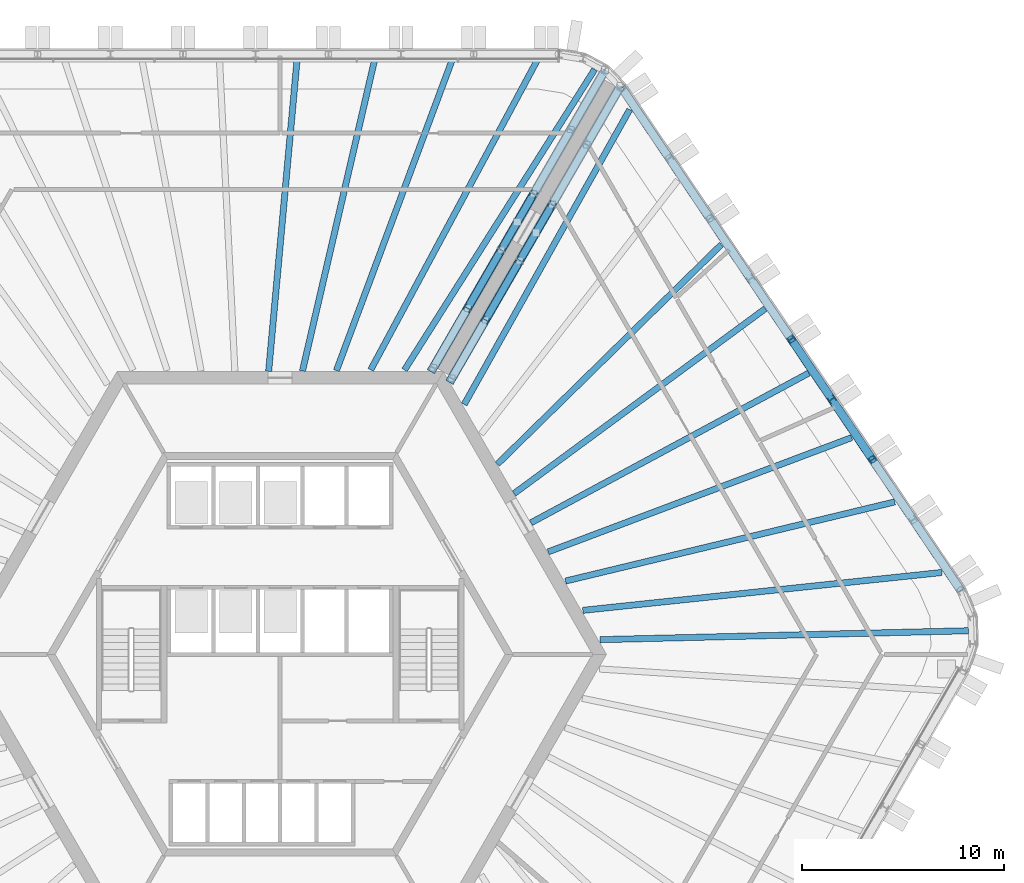
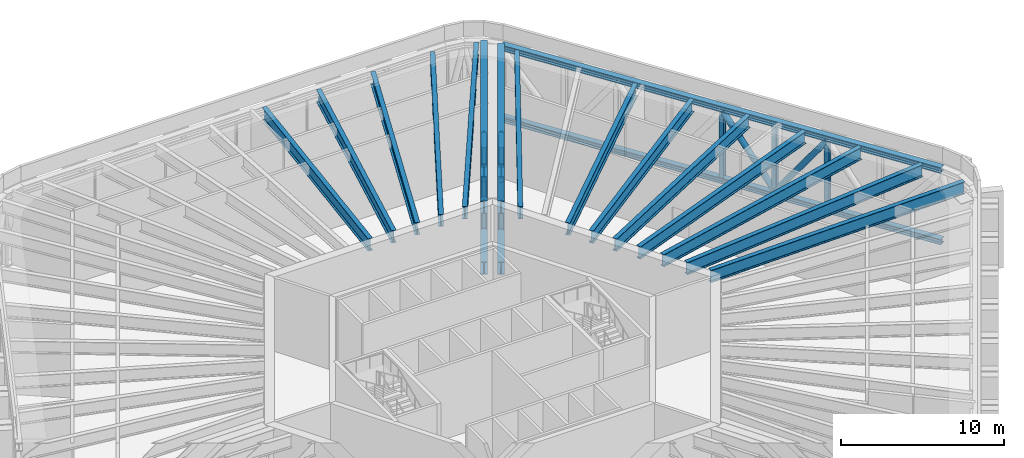
# One storey, part 8 of 27: 25 members, 13 beams.
"""IFC4 building model written with IfcOpenShell, lengths in metres."""

from ifc_helpers import new_model, si_unit, direction, frame, origin, origin_2d, place, context, subcontext, project, spatial, hollow_circle, i_section, extrude, material, material_profile, profile_set, type_object, element, save


model = new_model("IFC4")

# Units and contexts
model_context = context("Model", 3, precision=1e-05, world=origin(), true_north=direction((0.0, 1.0)))
body_context = subcontext(model_context, "Body", "Model", "MODEL_VIEW")
ifc_project = project(units=[si_unit("LENGTHUNIT", "METRE"), si_unit("AREAUNIT", "SQUARE_METRE"), si_unit("VOLUMEUNIT", "CUBIC_METRE"), si_unit("PLANEANGLEUNIT", "RADIAN"), si_unit("MASSUNIT", "GRAM", prefix="KILO")], contexts=[model_context])

# Site, building, storey
site_placement = place(None, origin())
site = spatial("IfcSite", under=ifc_project, at=site_placement, CompositionType="ELEMENT")
building_placement = place(site_placement, origin())
building = spatial("IfcBuilding", under=site, at=building_placement, Name="Tarnside Tower", CompositionType="ELEMENT")
storey_placement = place(building_placement, frame((0.0, 0.0, 146.699951171875)))
storey = spatial("IfcBuildingStorey", under=building, at=storey_placement, Name="L34", CompositionType="ELEMENT", Elevation=146.699951171875)

# Beams
ifc_material_1 = material(Name="Steel S355", Category="steel")
ifc_material_profile_1 = material_profile(ifc_material_1, i_section(OverallWidth=0.3076171875, OverallDepth=0.926513671875, WebThickness=0.01953125, FlangeThickness=0.031982421875, FilletRadius=0.01904296875, at=origin_2d()), Name="UB 914x305x289")
ifc_profile_set_1 = profile_set([ifc_material_profile_1], Name="Steel S355")
beam_type = type_object("IfcBeamType", Name="Floor beam UB 914x305x289", PredefinedType="BEAM", material=ifc_profile_set_1)
beam_1_placement = place(storey_placement, frame((12.7392578125, 29.430908203125, 5.036865234375), z_axis=(-0.47375131485, -0.880658669223, 0.0), x_axis=(0.880658669223, -0.47375131485, 0.0)))
element("IfcBeam", 1, at=beam_1_placement, inside=storey, type_object=beam_type, Name="Floor beam F1.01", PredefinedType="BEAM", context=body_context, shape_type="SweptSolid", body=[
    extrude(i_section(OverallWidth=0.3076171875, OverallDepth=0.926513671875, WebThickness=0.01953125, FlangeThickness=0.031982421875, FilletRadius=0.01904296875, at=origin_2d()), origin(), (0.0, 0.0, 1.0), 17.421875),
])
beam_2_placement = place(storey_placement, frame((8.529541015625, 29.462646484375, 5.036865234375), z_axis=(-0.349112858384, -0.93708068602, 0.0), x_axis=(0.93708068602, -0.349112858384, 0.0)))
element("IfcBeam", 2, at=beam_2_placement, inside=storey, type_object=beam_type, Name="Floor beam F1.02", PredefinedType="BEAM", context=body_context, shape_type="SweptSolid", body=[
    extrude(i_section(OverallWidth=0.3076171875, OverallDepth=0.926513671875, WebThickness=0.01953125, FlangeThickness=0.031982421875, FilletRadius=0.01904296875, at=origin_2d()), origin(), (0.0, 0.0, 1.0), 16.44091796875),
])
beam_3_placement = place(storey_placement, frame((4.689208984375, 29.47998046875, 5.036865234375), z_axis=(-0.225908911595, -0.974148429995, 0.0), x_axis=(0.974148429995, -0.225908911595, 0.0)))
element("IfcBeam", 3, at=beam_3_placement, inside=storey, type_object=beam_type, Name="Floor beam F1.03", PredefinedType="BEAM", context=body_context, shape_type="SweptSolid", body=[
    extrude(i_section(OverallWidth=0.3076171875, OverallDepth=0.926513671875, WebThickness=0.01953125, FlangeThickness=0.031982421875, FilletRadius=0.01904296875, at=origin_2d()), origin(), (0.0, 0.0, 1.0), 15.8505859375),
])
beam_4_placement = place(storey_placement, frame((0.843994140625, 29.4990234375, 5.036865234375), z_axis=(-0.090865719449, -0.995863153766, 0.0), x_axis=(0.995863153766, -0.090865719449, 0.0)))
element("IfcBeam", 4, at=beam_4_placement, inside=storey, type_object=beam_type, Name="Floor beam F1.04", PredefinedType="BEAM", context=body_context, shape_type="SweptSolid", body=[
    extrude(i_section(OverallWidth=0.3076171875, OverallDepth=0.926513671875, WebThickness=0.01953125, FlangeThickness=0.031982421875, FilletRadius=0.01904296875, at=origin_2d()), origin(), (0.0, 0.0, 1.0), 15.543212890625),
])
beam_5_placement = place(storey_placement, frame((34.09326171875, 1.16748046875, 5.036865234375), z_axis=(-0.99970649596, -0.024226471801, 0.0), x_axis=(0.024226471801, -0.99970649596, 0.0)))
element("IfcBeam", 5, at=beam_5_placement, inside=storey, type_object=beam_type, Name="Floor beam C5", PredefinedType="BEAM", context=body_context, shape_type="SweptSolid", body=[
    extrude(i_section(OverallWidth=0.3076171875, OverallDepth=0.926513671875, WebThickness=0.01953125, FlangeThickness=0.031982421875, FilletRadius=0.01904296875, at=origin_2d()), origin(), (0.0, 0.0, 1.0), 18.250244140625),
])
beam_6_placement = place(storey_placement, frame((32.786376953125, 4.05419921875, 5.036865234375), z_axis=(-0.994480676389, -0.104919894632, 0.0), x_axis=(0.104919894632, -0.994480676389, 0.0)))
element("IfcBeam", 6, at=beam_6_placement, inside=storey, type_object=beam_type, Name="Floor beam F6.01", PredefinedType="BEAM", context=body_context, shape_type="SweptSolid", body=[
    extrude(i_section(OverallWidth=0.3076171875, OverallDepth=0.926513671875, WebThickness=0.01953125, FlangeThickness=0.031982421875, FilletRadius=0.01904296875, at=origin_2d()), origin(), (0.0, 0.0, 1.0), 17.8916015625),
])
beam_7_placement = place(storey_placement, frame((30.446533203125, 7.549072265625, 5.036865234375), z_axis=(-0.97230374236, -0.233720843298, 0.0), x_axis=(0.233720843298, -0.97230374236, 0.0)))
element("IfcBeam", 7, at=beam_7_placement, inside=storey, type_object=beam_type, Name="Floor beam F6.02", PredefinedType="BEAM", context=body_context, shape_type="SweptSolid", body=[
    extrude(i_section(OverallWidth=0.3076171875, OverallDepth=0.926513671875, WebThickness=0.01953125, FlangeThickness=0.031982421875, FilletRadius=0.01904296875, at=origin_2d()), origin(), (0.0, 0.0, 1.0), 16.77392578125),
])
beam_8_placement = place(storey_placement, frame((28.318115234375, 10.735595703125, 5.036865234375), z_axis=(-0.935868140624, -0.35235042694, 0.0), x_axis=(0.35235042694, -0.935868140624, 0.0)))
element("IfcBeam", 8, at=beam_8_placement, inside=storey, type_object=beam_type, Name="Floor beam F6.03", PredefinedType="BEAM", context=body_context, shape_type="SweptSolid", body=[
    extrude(i_section(OverallWidth=0.3076171875, OverallDepth=0.926513671875, WebThickness=0.01953125, FlangeThickness=0.031982421875, FilletRadius=0.01904296875, at=origin_2d()), origin(), (0.0, 0.0, 1.0), 16.066650390625),
])
beam_9_placement = place(storey_placement, frame((26.186279296875, 13.93017578125, 5.036865234375), z_axis=(-0.880318579112, -0.474382966884, 0.0), x_axis=(0.474382966884, -0.880318579112, 0.0)))
element("IfcBeam", 9, at=beam_9_placement, inside=storey, type_object=beam_type, Name="Floor beam F6.04", PredefinedType="BEAM", context=body_context, shape_type="SweptSolid", body=[
    extrude(i_section(OverallWidth=0.3076171875, OverallDepth=0.926513671875, WebThickness=0.01953125, FlangeThickness=0.031982421875, FilletRadius=0.01904296875, at=origin_2d()), origin(), (0.0, 0.0, 1.0), 15.6298828125),
])
beam_10_placement = place(storey_placement, frame((24.03369140625, 17.121337890625, 5.036865234375), z_axis=(-0.805394511182, -0.592739134323, 0.0), x_axis=(0.592739134323, -0.805394511182, 0.0)))
element("IfcBeam", 10, at=beam_10_placement, inside=storey, type_object=beam_type, Name="Floor beam F6.05", PredefinedType="BEAM", context=body_context, shape_type="SweptSolid", body=[
    extrude(i_section(OverallWidth=0.3076171875, OverallDepth=0.926513671875, WebThickness=0.01953125, FlangeThickness=0.031982421875, FilletRadius=0.01904296875, at=origin_2d()), origin(), (0.0, 0.0, 1.0), 15.449462890625),
])
beam_11_placement = place(storey_placement, frame((21.864501953125, 20.302490234375, 5.036865234375), z_axis=(-0.714126588588, -0.700016582283, 0.0), x_axis=(0.700016582283, -0.714126588588, 0.0)))
element("IfcBeam", 11, at=beam_11_placement, inside=storey, type_object=beam_type, Name="Floor beam F6.06", PredefinedType="BEAM", context=body_context, shape_type="SweptSolid", body=[
    extrude(i_section(OverallWidth=0.3076171875, OverallDepth=0.926513671875, WebThickness=0.01953125, FlangeThickness=0.031982421875, FilletRadius=0.01904296875, at=origin_2d()), origin(), (0.0, 0.0, 1.0), 15.537841796875),
])
beam_12_placement = place(storey_placement, frame((17.318115234375, 26.985595703125, 5.036865234375), z_axis=(-0.489409943464, -0.872053844231, 0.0), x_axis=(0.872053844231, -0.489409943464, 0.0)))
element("IfcBeam", 12, at=beam_12_placement, inside=storey, type_object=beam_type, Name="Floor beam F6.08", PredefinedType="BEAM", context=body_context, shape_type="SweptSolid", body=[
    extrude(i_section(OverallWidth=0.3076171875, OverallDepth=0.926513671875, WebThickness=0.01953125, FlangeThickness=0.031982421875, FilletRadius=0.01904296875, at=origin_2d()), origin(), (0.0, 0.0, 1.0), 16.752197265625),
])
beam_13_placement = place(storey_placement, frame((15.579833984375, 28.9736328125, 5.036865234375), z_axis=(-0.534602328655, -0.845103751143, 0.0), x_axis=(0.845103751143, -0.534602328655, 0.0)))
element("IfcBeam", 13, at=beam_13_placement, inside=storey, type_object=beam_type, Name="Floor beam C6", PredefinedType="BEAM", context=body_context, shape_type="SweptSolid", body=[
    extrude(i_section(OverallWidth=0.3076171875, OverallDepth=0.926513671875, WebThickness=0.01953125, FlangeThickness=0.031982421875, FilletRadius=0.01904296875, at=origin_2d()), origin(), (0.0, 0.0, 1.0), 17.6181640625),
])

# Members
ifc_material_2 = material(Name="Steel S460", Category="steel")
ifc_material_profile_2 = material_profile(ifc_material_2, i_section(OverallWidth=0.42041015625, OverallDepth=0.9208984375, WebThickness=0.021484375, FlangeThickness=0.03662109375, FilletRadius=0.024169921875, at=origin_2d()), Name="UB 914x419x388")
ifc_profile_set_2 = profile_set([ifc_material_profile_2], Name="Steel S460")
member_type_1 = type_object("IfcMemberType", Name="Outrigger chord UB 914x419x388", PredefinedType="CHORD", material=ifc_profile_set_2)
member_1_placement = place(storey_placement, frame((7.470703125, 14.0, 5.03955078125), z_axis=(0.499994729457, 0.866028446712, 0.0), x_axis=(-0.866028446712, 0.499994729457, 0.0)))
element("IfcMember", 14, at=member_1_placement, inside=storey, type_object=member_type_1, Name="Outrigger truss top chord OR1A L34", PredefinedType="CHORD", context=body_context, shape_type="SweptSolid", body=[
    extrude(i_section(OverallWidth=0.42041015625, OverallDepth=0.9208984375, WebThickness=0.021484375, FlangeThickness=0.03662109375, FilletRadius=0.024169921875, at=origin_2d()), origin(), (0.0, 0.0, 1.0), 17.257080078125),
])
member_2_placement = place(storey_placement, frame((7.470703125, 14.0, 0.46044921875), z_axis=(0.499998787219, 0.866026103983, 0.0), x_axis=(-0.866026103983, 0.499998787219, 0.0)))
element("IfcMember", 15, at=member_2_placement, inside=storey, type_object=member_type_1, Name="Outrigger truss bottom chord OR1A L34", PredefinedType="CHORD", context=body_context, shape_type="SweptSolid", body=[
    extrude(i_section(OverallWidth=0.42041015625, OverallDepth=0.9208984375, WebThickness=0.021484375, FlangeThickness=0.03662109375, FilletRadius=0.024169921875, at=origin_2d()), origin(), (0.0, 0.0, 1.0), 6.95947265625),
])
member_3_placement = place(storey_placement, frame((10.950439453125, 20.027099609375, 2.91064453125), z_axis=(0.499993040581, 0.866029421769, 0.0), x_axis=(-0.866029421769, 0.499993040581, 0.0)))
element("IfcMember", 16, at=member_3_placement, inside=storey, type_object=member_type_1, Name="Outrigger truss lintel OR1A L34", PredefinedType="CHORD", context=body_context, shape_type="SweptSolid", body=[
    extrude(i_section(OverallWidth=0.42041015625, OverallDepth=0.9208984375, WebThickness=0.021484375, FlangeThickness=0.03662109375, FilletRadius=0.024169921875, at=origin_2d()), origin(), (0.0, 0.0, 1.0), 3.2021484375),
])
member_4_placement = place(storey_placement, frame((8.388916015625, 13.4697265625, 5.03955078125), z_axis=(0.500006482012, 0.866021661361, 0.0), x_axis=(-0.866021661361, 0.500006482012, 0.0)))
element("IfcMember", 17, at=member_4_placement, inside=storey, type_object=member_type_1, Name="Outrigger truss top chord OR1B L34", PredefinedType="CHORD", context=body_context, shape_type="SweptSolid", body=[
    extrude(i_section(OverallWidth=0.42041015625, OverallDepth=0.9208984375, WebThickness=0.021484375, FlangeThickness=0.03662109375, FilletRadius=0.024169921875, at=origin_2d()), origin(), (0.0, 0.0, 1.0), 16.939697265625),
])
member_5_placement = place(storey_placement, frame((8.388916015625, 13.4697265625, 0.46044921875), z_axis=(0.500025096756, 0.866010913681, 0.0), x_axis=(-0.866010913681, 0.500025096756, 0.0)))
element("IfcMember", 18, at=member_5_placement, inside=storey, type_object=member_type_1, Name="Outrigger truss bottom chord OR1B L34", PredefinedType="CHORD", context=body_context, shape_type="SweptSolid", body=[
    extrude(i_section(OverallWidth=0.42041015625, OverallDepth=0.9208984375, WebThickness=0.021484375, FlangeThickness=0.03662109375, FilletRadius=0.024169921875, at=origin_2d()), origin(), (0.0, 0.0, 1.0), 6.959716796875),
])
member_6_placement = place(storey_placement, frame((11.868896484375, 19.496826171875, 2.91064453125), z_axis=(0.499993040581, 0.866029421769, 0.0), x_axis=(-0.866029421769, 0.499993040581, 0.0)))
element("IfcMember", 19, at=member_6_placement, inside=storey, type_object=member_type_1, Name="Outrigger truss lintel OR1B L34", PredefinedType="CHORD", context=body_context, shape_type="SweptSolid", body=[
    extrude(i_section(OverallWidth=0.42041015625, OverallDepth=0.9208984375, WebThickness=0.021484375, FlangeThickness=0.03662109375, FilletRadius=0.024169921875, at=origin_2d()), origin(), (0.0, 0.0, 1.0), 3.2021484375),
])
ifc_material_profile_3 = material_profile(ifc_material_1, hollow_circle(Radius=0.177734375, WallThickness=0.01611328125, at=origin_2d()), Name="CHS 355.6x16")
ifc_profile_set_3 = profile_set([ifc_material_profile_3], Name="Steel S355")
member_type_2 = type_object("IfcMemberType", Name="Outrigger diagonal CHS 355.6x16", PredefinedType="BRACE", material=ifc_profile_set_3)
member_7_placement = place(storey_placement, frame((9.288330078125, 17.148681640625, 4.5791015625), z_axis=(0.33628744383, 0.58237793225, -0.74009911441), x_axis=(-0.865992313895, 0.50005730899, 0.0)))
element("IfcMember", 20, at=member_7_placement, inside=storey, type_object=member_type_2, Name="Outrigger truss diagonal OR1A 2", PredefinedType="BRACE", context=body_context, shape_type="SweptSolid", body=[
    extrude(hollow_circle(Radius=0.177734375, WallThickness=0.01611328125, at=origin_2d()), origin(), (0.0, 0.0, 1.0), 4.942626953125),
])
member_8_placement = place(storey_placement, frame((10.950439453125, 20.027099609375, 3.37109375), z_axis=(0.399116202189, 0.691363229166, 0.602265010196), x_axis=(-0.866048479775, 0.499960029081, 0.0)))
element("IfcMember", 21, at=member_8_placement, inside=storey, type_object=member_type_2, Name="Outrigger truss diagonal OR1A 3", PredefinedType="BRACE", context=body_context, shape_type="SweptSolid", body=[
    extrude(hollow_circle(Radius=0.177734375, WallThickness=0.01611328125, at=origin_2d()), origin(), (0.0, 0.0, 1.0), 2.005859375),
])
member_9_placement = place(storey_placement, frame((12.551513671875, 22.80029296875, 3.37109375), z_axis=(-0.399149789882, -0.691299681835, 0.602315693911), x_axis=(0.866010359988, -0.500026055714, 0.0)))
element("IfcMember", 22, at=member_9_placement, inside=storey, type_object=member_type_2, Name="Outrigger truss diagonal OR1A 4", PredefinedType="BRACE", context=body_context, shape_type="SweptSolid", body=[
    extrude(hollow_circle(Radius=0.177734375, WallThickness=0.01611328125, at=origin_2d()), origin(), (0.0, 0.0, 1.0), 2.005615234375),
])
member_10_placement = place(storey_placement, frame((10.175048828125, 16.563232421875, 4.5791015625), z_axis=(0.339751089553, 0.588418721831, -0.733711527064), x_axis=(-0.866007952957, 0.500030224502, 0.0)))
element("IfcMember", 23, at=member_10_placement, inside=storey, type_object=member_type_2, Name="Outrigger truss diagonal OR1B 2", PredefinedType="BRACE", context=body_context, shape_type="SweptSolid", body=[
    extrude(hollow_circle(Radius=0.177734375, WallThickness=0.01611328125, at=origin_2d()), origin(), (0.0, 0.0, 1.0), 4.985595703125),
])
member_11_placement = place(storey_placement, frame((11.868896484375, 19.496826171875, 3.37109375), z_axis=(0.399116202189, 0.691363229166, 0.602265010196), x_axis=(-0.866048479775, 0.499960029081, 0.0)))
element("IfcMember", 24, at=member_11_placement, inside=storey, type_object=member_type_2, Name="Outrigger truss diagonal OR1B 3", PredefinedType="BRACE", context=body_context, shape_type="SweptSolid", body=[
    extrude(hollow_circle(Radius=0.177734375, WallThickness=0.01611328125, at=origin_2d()), origin(), (0.0, 0.0, 1.0), 2.005859375),
])
member_12_placement = place(storey_placement, frame((13.469970703125, 22.27001953125, 3.37109375), z_axis=(-0.399149789882, -0.691299681835, 0.602315693911), x_axis=(0.866010359988, -0.500026055714, 0.0)))
element("IfcMember", 25, at=member_12_placement, inside=storey, type_object=member_type_2, Name="Outrigger truss diagonal OR1B 4", PredefinedType="BRACE", context=body_context, shape_type="SweptSolid", body=[
    extrude(hollow_circle(Radius=0.177734375, WallThickness=0.01611328125, at=origin_2d()), origin(), (0.0, 0.0, 1.0), 2.005615234375),
])
ifc_material_profile_4 = material_profile(ifc_material_1, i_section(OverallWidth=0.314453125, OverallDepth=0.33984375, WebThickness=0.01904296875, FlangeThickness=0.031494140625, FilletRadius=0.01513671875, at=origin_2d()), Name="UC 305x305x198")
ifc_profile_set_4 = profile_set([ifc_material_profile_4], Name="Steel S355")
member_type_3 = type_object("IfcMemberType", Name="Outrigger post UC 305x305x198", PredefinedType="POST", material=ifc_profile_set_4)
member_13_placement = place(storey_placement, frame((9.288330078125, 17.148681640625, 0.921142578125), z_axis=(0.0, 0.0, 1.0), x_axis=(0.5, 0.866025403784, 0.0)))
element("IfcMember", 26, at=member_13_placement, inside=storey, type_object=member_type_3, Name="Outrigger truss post OR1A 2", PredefinedType="POST", context=body_context, shape_type="SweptSolid", body=[
    extrude(i_section(OverallWidth=0.314453125, OverallDepth=0.33984375, WebThickness=0.01904296875, FlangeThickness=0.031494140625, FilletRadius=0.01513671875, at=origin_2d()), origin(), (0.0, 0.0, 1.0), 3.657958984375),
])
for number, where, z_axis, x_axis, name in (
    (27, (10.950439453125, 20.027099609375, 0.921142578125), (0.0, 0.0, 1.0), (0.5, 0.866025403784, 0.0), "Outrigger truss post OR1A 3"),
    (28, (12.551513671875, 22.80029296875, 0.921142578125), (0.0, 0.0, 1.0), (0.5, 0.866025403784, 0.0), "Outrigger truss post OR1A 4"),
):
    element("IfcMember", number, at=place(storey_placement, frame(where, z_axis=z_axis, x_axis=x_axis)), inside=storey, type_object=member_type_3, Name=name, PredefinedType="POST", context=body_context, shape_type="SweptSolid", body=[
        extrude(i_section(OverallWidth=0.314453125, OverallDepth=0.33984375, WebThickness=0.01904296875, FlangeThickness=0.031494140625, FilletRadius=0.01513671875, at=origin_2d()), origin(), (0.0, 0.0, 1.0), 1.52880859375),
    ])
member_14_placement = place(storey_placement, frame((10.175048828125, 16.563232421875, 0.921142578125), z_axis=(0.0, 0.0, 1.0), x_axis=(0.5, 0.866025403784, 0.0)))
element("IfcMember", 29, at=member_14_placement, inside=storey, type_object=member_type_3, Name="Outrigger truss post OR1B 2", PredefinedType="POST", context=body_context, shape_type="SweptSolid", body=[
    extrude(i_section(OverallWidth=0.314453125, OverallDepth=0.33984375, WebThickness=0.01904296875, FlangeThickness=0.031494140625, FilletRadius=0.01513671875, at=origin_2d()), origin(), (0.0, 0.0, 1.0), 3.657958984375),
])
for number, where, z_axis, x_axis, name in (
    (30, (11.868896484375, 19.496826171875, 0.921142578125), (0.0, 0.0, 1.0), (0.5, 0.866025403784, 0.0), "Outrigger truss post OR1B 3"),
    (31, (13.469970703125, 22.27001953125, 0.921142578125), (0.0, 0.0, 1.0), (0.5, 0.866025403784, 0.0), "Outrigger truss post OR1B 4"),
):
    element("IfcMember", number, at=place(storey_placement, frame(where, z_axis=z_axis, x_axis=x_axis)), inside=storey, type_object=member_type_3, Name=name, PredefinedType="POST", context=body_context, shape_type="SweptSolid", body=[
        extrude(i_section(OverallWidth=0.314453125, OverallDepth=0.33984375, WebThickness=0.01904296875, FlangeThickness=0.031494140625, FilletRadius=0.01513671875, at=origin_2d()), origin(), (0.0, 0.0, 1.0), 1.52880859375),
    ])
ifc_material_profile_5 = material_profile(ifc_material_1, i_section(OverallWidth=0.406982421875, OverallDepth=0.4189453125, WebThickness=0.030517578125, FlangeThickness=0.04931640625, FilletRadius=0.01513671875, at=origin_2d()), Name="UC 356x406x393")
ifc_profile_set_5 = profile_set([ifc_material_profile_5], Name="Steel S355")
member_type_4 = type_object("IfcMemberType", Name="Truss chord UC 356x406x393", PredefinedType="CHORD", material=ifc_profile_set_5)
member_15_placement = place(storey_placement, frame((33.72802734375, 3.153076171875, -0.09033203125), z_axis=(-0.559192411416, 0.82903790445, 0.0), x_axis=(-0.82903790445, -0.559192411416, 0.0)))
element("IfcMember", 32, at=member_15_placement, inside=storey, type_object=member_type_4, Name="Belt truss bottom chord L34 run", PredefinedType="CHORD", context=body_context, shape_type="SweptSolid", body=[
    extrude(i_section(OverallWidth=0.406982421875, OverallDepth=0.4189453125, WebThickness=0.030517578125, FlangeThickness=0.04931640625, FilletRadius=0.01513671875, at=origin_2d()), origin(), (0.0, 0.0, 1.0), 30.07080078125),
])
ifc_material_profile_6 = material_profile(ifc_material_2, i_section(OverallWidth=0.412109375, OverallDepth=0.4365234375, WebThickness=0.035888671875, FlangeThickness=0.05810546875, FilletRadius=0.01513671875, at=origin_2d()), Name="UC 356x406x467")
ifc_profile_set_6 = profile_set([ifc_material_profile_6], Name="Steel S460")
member_type_5 = type_object("IfcMemberType", Name="Truss chord UC 356x406x467", PredefinedType="CHORD", material=ifc_profile_set_6)
member_16_placement = place(storey_placement, frame((33.72802734375, 3.153076171875, 5.28173828125), z_axis=(-0.559192411416, 0.82903790445, 0.0), x_axis=(-0.82903790445, -0.559192411416, 0.0)))
element("IfcMember", 33, at=member_16_placement, inside=storey, type_object=member_type_5, Name="Belt truss top chord L34 run", PredefinedType="CHORD", context=body_context, shape_type="SweptSolid", body=[
    extrude(i_section(OverallWidth=0.412109375, OverallDepth=0.4365234375, WebThickness=0.035888671875, FlangeThickness=0.05810546875, FilletRadius=0.01513671875, at=origin_2d()), origin(), (0.0, 0.0, 1.0), 30.07080078125),
])
ifc_material_profile_7 = material_profile(ifc_material_1, hollow_circle(Radius=0.203125, WallThickness=0.01611328125, at=origin_2d()), Name="CHS 406.4x16")
ifc_profile_set_7 = profile_set([ifc_material_profile_7], Name="Steel S355")
member_type_6 = type_object("IfcMemberType", Name="Truss diagonal CHS 406.4x16", PredefinedType="BRACE", material=ifc_profile_set_7)
member_17_placement = place(storey_placement, frame((29.3466796875, 9.64892578125, 5.0634765625), z_axis=(-0.329164930851, 0.487959266884, -0.808422044578), x_axis=(-0.829012171582, -0.559230560117, 0.0)))
element("IfcMember", 34, at=member_17_placement, inside=storey, type_object=member_type_6, Name="Belt truss diagonal L34 58", PredefinedType="BRACE", context=body_context, shape_type="SweptSolid", body=[
    extrude(hollow_circle(Radius=0.203125, WallThickness=0.01611328125, at=origin_2d()), origin(), (0.0, 0.0, 1.0), 6.115966796875),
])
member_18_placement = place(storey_placement, frame((27.33349609375, 12.63330078125, 0.119140625), z_axis=(-0.329158519162, 0.487989679452, 0.808406297608), x_axis=(-0.829033379241, -0.559199120264, 0.0)))
element("IfcMember", 35, at=member_18_placement, inside=storey, type_object=member_type_6, Name="Belt truss diagonal L34 59", PredefinedType="BRACE", context=body_context, shape_type="SweptSolid", body=[
    extrude(hollow_circle(Radius=0.203125, WallThickness=0.01611328125, at=origin_2d()), origin(), (0.0, 0.0, 1.0), 6.1162109375),
])
ifc_material_profile_8 = material_profile(ifc_material_1, i_section(OverallWidth=0.314453125, OverallDepth=0.33984375, WebThickness=0.01904296875, FlangeThickness=0.031494140625, FilletRadius=0.01513671875, at=origin_2d()), Name="UC 305x305x198")
ifc_profile_set_8 = profile_set([ifc_material_profile_8], Name="Steel S355")
member_type_7 = type_object("IfcMemberType", Name="Truss post UC 305x305x198", PredefinedType="POST", material=ifc_profile_set_8)
for number, where, z_axis, x_axis, name in (
    (36, (29.3466796875, 9.64892578125, 0.119140625), (0.0, 0.0, 1.0), (-0.559192903471, 0.829037572555, 0.0), "Belt truss post L34 58"),
    (37, (27.33349609375, 12.63330078125, 0.119140625), (0.0, 0.0, 1.0), (-0.559192903471, 0.829037572555, 0.0), "Belt truss post L34 59"),
    (38, (25.3203125, 15.617919921875, 0.119140625), (0.0, 0.0, 1.0), (-0.559192903471, 0.829037572555, 0.0), "Belt truss post L34 60"),
):
    element("IfcMember", number, at=place(storey_placement, frame(where, z_axis=z_axis, x_axis=x_axis)), inside=storey, type_object=member_type_7, Name=name, PredefinedType="POST", context=body_context, shape_type="SweptSolid", body=[
        extrude(i_section(OverallWidth=0.314453125, OverallDepth=0.33984375, WebThickness=0.01904296875, FlangeThickness=0.031494140625, FilletRadius=0.01513671875, at=origin_2d()), origin(), (0.0, 0.0, 1.0), 4.9443359375),
    ])

save(model, "model.ifc")
